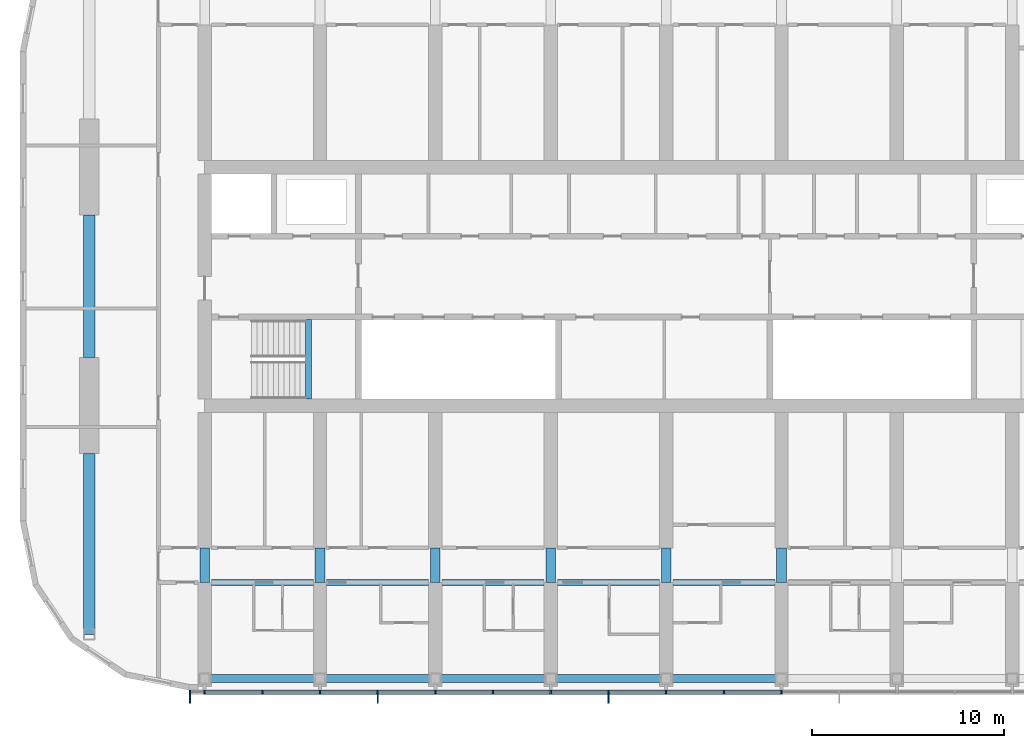
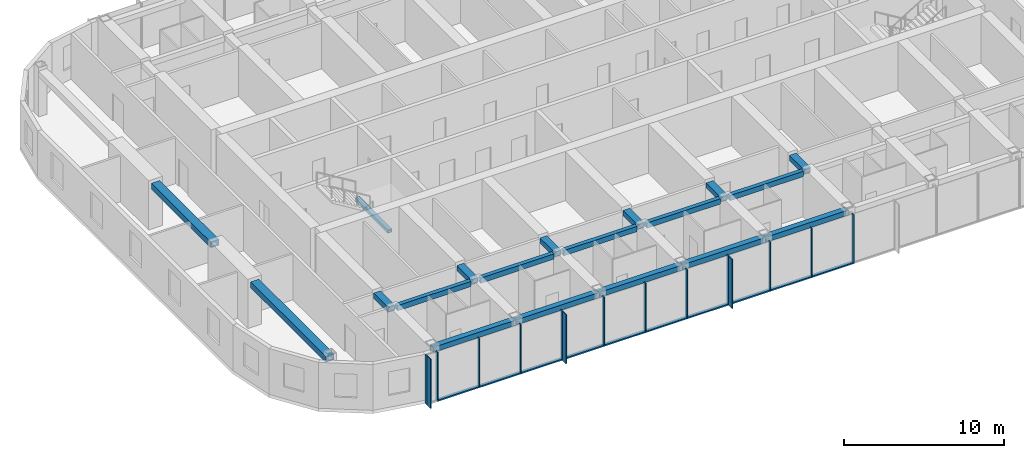
# One storey, part 2 of 23: 25 members, 19 beams, 1 element without a shape of its own.
"""IFC4 building model written with IfcOpenShell, lengths in metres."""

from ifc_helpers import new_model, si_unit, direction, frame, origin, origin_2d, place, context, subcontext, project, spatial, rectangle, hollow_rectangle, extrude, material, material_profile, profile_set, type_object, element, aggregate, save


model = new_model("IFC4")

# Units and contexts
model_context = context("Model", 3, precision=1e-05, world=origin(), true_north=direction((0.0, 1.0)))
body_context = subcontext(model_context, "Body", "Model", "MODEL_VIEW")
ifc_project = project(units=[si_unit("LENGTHUNIT", "METRE"), si_unit("AREAUNIT", "SQUARE_METRE"), si_unit("VOLUMEUNIT", "CUBIC_METRE"), si_unit("PLANEANGLEUNIT", "RADIAN"), si_unit("MASSUNIT", "GRAM", prefix="KILO")], contexts=[model_context])

# Site, building, storey
site_placement = place(None, origin())
site = spatial("IfcSite", under=ifc_project, at=site_placement, CompositionType="ELEMENT")
building_placement = place(site_placement, origin())
building = spatial("IfcBuilding", under=site, at=building_placement, Name="Orbita Commons", CompositionType="ELEMENT")
storey_placement = place(building_placement, frame((0.0, 0.0, 224.050048828125)))
storey = spatial("IfcBuildingStorey", under=building, at=storey_placement, Name="L55", CompositionType="ELEMENT", Elevation=224.050048828125)

# Curtain wall, members
ifc_material_1 = material(Name="Anodised aluminium frame, pale silver", Category="aluminium")
curtain_wall_type = type_object("IfcCurtainWallType", Name="Unitised curtain wall CW-U, full-height vision", PredefinedType="NOTDEFINED", material=ifc_material_1)
curtain_wall_placement = place(storey_placement, origin())
curtain_wall = element("IfcCurtainWall", 1, at=curtain_wall_placement, inside=storey, type_object=curtain_wall_type, Name="Curtain wall south L55", PredefinedType="NOTDEFINED")
ifc_material_2 = material(Name="Anodised aluminium, pale silver", Category="aluminium")
ifc_material_profile_1 = material_profile(ifc_material_2, rectangle(XDim=0.080078125, YDim=0.219970703125, at=origin_2d()), Name="AL 80x220")
ifc_profile_set_1 = profile_set([ifc_material_profile_1], Name="Anodised aluminium, pale silver")
member_type_1 = type_object("IfcMemberType", Name="Curtain wall mullion 80x220", PredefinedType="MULLION", material=ifc_profile_set_1)
member_1_placement = place(storey_placement, frame((17.239990234375, 10.889892578125, -0.25), z_axis=(0.0, 0.0, 1.0), x_axis=(1.0, 0.0, 0.0)))
member_1 = element("IfcMember", 2, at=member_1_placement, type_object=member_type_1, Name="Mullion 1 CW-L55-S", PredefinedType="MULLION", context=body_context, shape_type="SweptSolid", body=[
    extrude(rectangle(XDim=0.080078125, YDim=0.219970703125, at=origin_2d()), origin(), (0.0, 0.0, 1.0), 3.75),
])
member_2_placement = place(storey_placement, frame((18.0, 10.889892578125, -0.25), z_axis=(0.0, 0.0, 1.0), x_axis=(1.0, 0.0, 0.0)))
member_2 = element("IfcMember", 3, at=member_2_placement, type_object=member_type_1, Name="Mullion 2 CW-L55-S", PredefinedType="MULLION", context=body_context, shape_type="SweptSolid", body=[
    extrude(rectangle(XDim=0.080078125, YDim=0.219970703125, at=origin_2d()), origin(), (0.0, 0.0, 1.0), 3.75),
])
member_3_placement = place(storey_placement, frame((21.0, 10.889892578125, -0.25), z_axis=(0.0, 0.0, 1.0), x_axis=(1.0, 0.0, 0.0)))
member_3 = element("IfcMember", 4, at=member_3_placement, type_object=member_type_1, Name="Mullion 3 CW-L55-S", PredefinedType="MULLION", context=body_context, shape_type="SweptSolid", body=[
    extrude(rectangle(XDim=0.080078125, YDim=0.219970703125, at=origin_2d()), origin(), (0.0, 0.0, 1.0), 3.75),
])
member_4_placement = place(storey_placement, frame((24.0, 10.889892578125, -0.25), z_axis=(0.0, 0.0, 1.0), x_axis=(1.0, 0.0, 0.0)))
member_4 = element("IfcMember", 5, at=member_4_placement, type_object=member_type_1, Name="Mullion 4 CW-L55-S", PredefinedType="MULLION", context=body_context, shape_type="SweptSolid", body=[
    extrude(rectangle(XDim=0.080078125, YDim=0.219970703125, at=origin_2d()), origin(), (0.0, 0.0, 1.0), 3.75),
])
member_5_placement = place(storey_placement, frame((27.0, 10.889892578125, -0.25), z_axis=(0.0, 0.0, 1.0), x_axis=(1.0, 0.0, 0.0)))
member_5 = element("IfcMember", 6, at=member_5_placement, type_object=member_type_1, Name="Mullion 5 CW-L55-S", PredefinedType="MULLION", context=body_context, shape_type="SweptSolid", body=[
    extrude(rectangle(XDim=0.080078125, YDim=0.219970703125, at=origin_2d()), origin(), (0.0, 0.0, 1.0), 3.75),
])
member_6_placement = place(storey_placement, frame((30.0, 10.889892578125, -0.25), z_axis=(0.0, 0.0, 1.0), x_axis=(1.0, 0.0, 0.0)))
member_6 = element("IfcMember", 7, at=member_6_placement, type_object=member_type_1, Name="Mullion 6 CW-L55-S", PredefinedType="MULLION", context=body_context, shape_type="SweptSolid", body=[
    extrude(rectangle(XDim=0.080078125, YDim=0.219970703125, at=origin_2d()), origin(), (0.0, 0.0, 1.0), 3.75),
])
member_7_placement = place(storey_placement, frame((33.0, 10.889892578125, -0.25), z_axis=(0.0, 0.0, 1.0), x_axis=(1.0, 0.0, 0.0)))
member_7 = element("IfcMember", 8, at=member_7_placement, type_object=member_type_1, Name="Mullion 7 CW-L55-S", PredefinedType="MULLION", context=body_context, shape_type="SweptSolid", body=[
    extrude(rectangle(XDim=0.080078125, YDim=0.219970703125, at=origin_2d()), origin(), (0.0, 0.0, 1.0), 3.75),
])
member_8_placement = place(storey_placement, frame((36.0, 10.889892578125, -0.25), z_axis=(0.0, 0.0, 1.0), x_axis=(1.0, 0.0, 0.0)))
member_8 = element("IfcMember", 9, at=member_8_placement, type_object=member_type_1, Name="Mullion 8 CW-L55-S", PredefinedType="MULLION", context=body_context, shape_type="SweptSolid", body=[
    extrude(rectangle(XDim=0.080078125, YDim=0.219970703125, at=origin_2d()), origin(), (0.0, 0.0, 1.0), 3.75),
])
member_9_placement = place(storey_placement, frame((39.0, 10.889892578125, -0.25), z_axis=(0.0, 0.0, 1.0), x_axis=(1.0, 0.0, 0.0)))
member_9 = element("IfcMember", 10, at=member_9_placement, type_object=member_type_1, Name="Mullion 9 CW-L55-S", PredefinedType="MULLION", context=body_context, shape_type="SweptSolid", body=[
    extrude(rectangle(XDim=0.080078125, YDim=0.219970703125, at=origin_2d()), origin(), (0.0, 0.0, 1.0), 3.75),
])
member_10_placement = place(storey_placement, frame((42.0, 10.889892578125, -0.25), z_axis=(0.0, 0.0, 1.0), x_axis=(1.0, 0.0, 0.0)))
member_10 = element("IfcMember", 11, at=member_10_placement, type_object=member_type_1, Name="Mullion 10 CW-L55-S", PredefinedType="MULLION", context=body_context, shape_type="SweptSolid", body=[
    extrude(rectangle(XDim=0.080078125, YDim=0.219970703125, at=origin_2d()), origin(), (0.0, 0.0, 1.0), 3.75),
])
member_11_placement = place(storey_placement, frame((45.0, 10.889892578125, -0.25), z_axis=(0.0, 0.0, 1.0), x_axis=(1.0, 0.0, 0.0)))
member_11 = element("IfcMember", 12, at=member_11_placement, type_object=member_type_1, Name="Mullion 11 CW-L55-S", PredefinedType="MULLION", context=body_context, shape_type="SweptSolid", body=[
    extrude(rectangle(XDim=0.080078125, YDim=0.219970703125, at=origin_2d()), origin(), (0.0, 0.0, 1.0), 3.75),
])
member_12_placement = place(storey_placement, frame((48.0, 10.889892578125, -0.25), z_axis=(0.0, 0.0, 1.0), x_axis=(1.0, 0.0, 0.0)))
member_12 = element("IfcMember", 13, at=member_12_placement, type_object=member_type_1, Name="Mullion 12 CW-L55-S", PredefinedType="MULLION", context=body_context, shape_type="SweptSolid", body=[
    extrude(rectangle(XDim=0.080078125, YDim=0.219970703125, at=origin_2d()), origin(), (0.0, 0.0, 1.0), 3.75),
])
ifc_material_3 = material(Name="Anodised aluminium, pale silver", Category="aluminium")
ifc_material_profile_2 = material_profile(ifc_material_3, rectangle(XDim=0.219970703125, YDim=0.10009765625, at=origin_2d()), Name="AL 220x100")
ifc_profile_set_2 = profile_set([ifc_material_profile_2], Name="Anodised aluminium, pale silver")
member_type_2 = type_object("IfcMemberType", Name="Curtain wall stack transom 220x100", PredefinedType="USERDEFINED", material=ifc_profile_set_2)
member_13_placement = place(storey_placement, frame((18.0400390625, 10.889892578125, -0.199951171875), z_axis=(1.0, 0.0, 0.0), x_axis=(0.0, 1.0, 0.0)))
member_13 = element("IfcMember", 14, at=member_13_placement, type_object=member_type_2, Name="Transom 2.1 CW-L55-S", ObjectType="TRANSOM", PredefinedType="USERDEFINED", context=body_context, shape_type="SweptSolid", body=[
    extrude(rectangle(XDim=0.219970703125, YDim=0.10009765625, at=origin_2d()), origin(), (0.0, 0.0, 1.0), 2.919921875),
])
member_14_placement = place(storey_placement, frame((21.0400390625, 10.889892578125, -0.199951171875), z_axis=(1.0, 0.0, 0.0), x_axis=(0.0, 1.0, 0.0)))
member_14 = element("IfcMember", 15, at=member_14_placement, type_object=member_type_2, Name="Transom 3.1 CW-L55-S", ObjectType="TRANSOM", PredefinedType="USERDEFINED", context=body_context, shape_type="SweptSolid", body=[
    extrude(rectangle(XDim=0.219970703125, YDim=0.10009765625, at=origin_2d()), origin(), (0.0, 0.0, 1.0), 2.919921875),
])
member_15_placement = place(storey_placement, frame((24.0400390625, 10.889892578125, -0.199951171875), z_axis=(1.0, 0.0, 0.0), x_axis=(0.0, 1.0, 0.0)))
member_15 = element("IfcMember", 16, at=member_15_placement, type_object=member_type_2, Name="Transom 4.1 CW-L55-S", ObjectType="TRANSOM", PredefinedType="USERDEFINED", context=body_context, shape_type="SweptSolid", body=[
    extrude(rectangle(XDim=0.219970703125, YDim=0.10009765625, at=origin_2d()), origin(), (0.0, 0.0, 1.0), 2.919921875),
])
member_16_placement = place(storey_placement, frame((27.0400390625, 10.889892578125, -0.199951171875), z_axis=(1.0, 0.0, 0.0), x_axis=(0.0, 1.0, 0.0)))
member_16 = element("IfcMember", 17, at=member_16_placement, type_object=member_type_2, Name="Transom 5.1 CW-L55-S", ObjectType="TRANSOM", PredefinedType="USERDEFINED", context=body_context, shape_type="SweptSolid", body=[
    extrude(rectangle(XDim=0.219970703125, YDim=0.10009765625, at=origin_2d()), origin(), (0.0, 0.0, 1.0), 2.919921875),
])
member_17_placement = place(storey_placement, frame((30.0400390625, 10.889892578125, -0.199951171875), z_axis=(1.0, 0.0, 0.0), x_axis=(0.0, 1.0, 0.0)))
member_17 = element("IfcMember", 18, at=member_17_placement, type_object=member_type_2, Name="Transom 6.1 CW-L55-S", ObjectType="TRANSOM", PredefinedType="USERDEFINED", context=body_context, shape_type="SweptSolid", body=[
    extrude(rectangle(XDim=0.219970703125, YDim=0.10009765625, at=origin_2d()), origin(), (0.0, 0.0, 1.0), 2.919921875),
])
member_18_placement = place(storey_placement, frame((33.0400390625, 10.889892578125, -0.199951171875), z_axis=(1.0, 0.0, 0.0), x_axis=(0.0, 1.0, 0.0)))
member_18 = element("IfcMember", 19, at=member_18_placement, type_object=member_type_2, Name="Transom 7.1 CW-L55-S", ObjectType="TRANSOM", PredefinedType="USERDEFINED", context=body_context, shape_type="SweptSolid", body=[
    extrude(rectangle(XDim=0.219970703125, YDim=0.10009765625, at=origin_2d()), origin(), (0.0, 0.0, 1.0), 2.919921875),
])
member_19_placement = place(storey_placement, frame((36.0400390625, 10.889892578125, -0.199951171875), z_axis=(1.0, 0.0, 0.0), x_axis=(0.0, 1.0, 0.0)))
member_19 = element("IfcMember", 20, at=member_19_placement, type_object=member_type_2, Name="Transom 8.1 CW-L55-S", ObjectType="TRANSOM", PredefinedType="USERDEFINED", context=body_context, shape_type="SweptSolid", body=[
    extrude(rectangle(XDim=0.219970703125, YDim=0.10009765625, at=origin_2d()), origin(), (0.0, 0.0, 1.0), 2.919921875),
])
member_20_placement = place(storey_placement, frame((39.0400390625, 10.889892578125, -0.199951171875), z_axis=(1.0, 0.0, 0.0), x_axis=(0.0, 1.0, 0.0)))
member_20 = element("IfcMember", 21, at=member_20_placement, type_object=member_type_2, Name="Transom 9.1 CW-L55-S", ObjectType="TRANSOM", PredefinedType="USERDEFINED", context=body_context, shape_type="SweptSolid", body=[
    extrude(rectangle(XDim=0.219970703125, YDim=0.10009765625, at=origin_2d()), origin(), (0.0, 0.0, 1.0), 2.919921875),
])
member_21_placement = place(storey_placement, frame((42.0400390625, 10.889892578125, -0.199951171875), z_axis=(1.0, 0.0, 0.0), x_axis=(0.0, 1.0, 0.0)))
member_21 = element("IfcMember", 22, at=member_21_placement, type_object=member_type_2, Name="Transom 10.1 CW-L55-S", ObjectType="TRANSOM", PredefinedType="USERDEFINED", context=body_context, shape_type="SweptSolid", body=[
    extrude(rectangle(XDim=0.219970703125, YDim=0.10009765625, at=origin_2d()), origin(), (0.0, 0.0, 1.0), 2.919921875),
])
member_22_placement = place(storey_placement, frame((45.0400390625, 10.889892578125, -0.199951171875), z_axis=(1.0, 0.0, 0.0), x_axis=(0.0, 1.0, 0.0)))
member_22 = element("IfcMember", 23, at=member_22_placement, type_object=member_type_2, Name="Transom 11.1 CW-L55-S", ObjectType="TRANSOM", PredefinedType="USERDEFINED", context=body_context, shape_type="SweptSolid", body=[
    extrude(rectangle(XDim=0.219970703125, YDim=0.10009765625, at=origin_2d()), origin(), (0.0, 0.0, 1.0), 2.919921875),
])

# Beams
ifc_material_4 = material(Name="Steel ASTM A572 Gr 50 welded plate", Category="steel")
ifc_material_profile_3 = material_profile(ifc_material_4, hollow_rectangle(XDim=0.300048828125, YDim=0.25, WallThickness=0.02490234375, at=origin_2d()), Name="BOX 250x300x25")
ifc_profile_set_3 = profile_set([ifc_material_profile_3], Name="Steel ASTM A572 Gr 50 welded plate")
beam_type_1 = type_object("IfcBeamType", Name="Stair landing beam steel BOX 250x300x25", PredefinedType="BEAM", material=ifc_profile_set_3)
beam_1_placement = place(storey_placement, frame((23.39990234375, 26.135009765625, 1.550048828125), z_axis=(0.0, 1.0, 0.0), x_axis=(-1.0, 0.0, 0.0)))
element("IfcBeam", 24, at=beam_1_placement, inside=storey, type_object=beam_type_1, Name="Stair S1 landing beam L55 1", PredefinedType="BEAM", context=body_context, shape_type="SweptSolid", body=[
    extrude(hollow_rectangle(XDim=0.300048828125, YDim=0.25, WallThickness=0.02490234375, at=origin_2d()), origin(), (0.0, 0.0, 1.0), 4.1298828125),
])
ifc_material_5 = material(Name="Steel ASTM A572 Gr 50 welded plate", Category="steel")
ifc_material_profile_4 = material_profile(ifc_material_5, hollow_rectangle(XDim=0.300048828125, YDim=0.39990234375, WallThickness=0.0400390625, at=origin_2d()), Name="BOX 400x300x40")
ifc_profile_set_4 = profile_set([ifc_material_profile_4], Name="Steel ASTM A572 Gr 50 welded plate")
beam_type_2 = type_object("IfcBeamType", Name="Steel corridor link BOX 400x300x40", PredefinedType="BEAM", material=ifc_profile_set_4)
for number, where, z_axis, x_axis, name in (
    (25, (18.35009765625, 16.60009765625, 3.300048828125), (1.0, 0.0, 0.0), (0.0, 1.0, 0.0), "Corridor beam SA 4-5 L55"),
    (26, (24.35009765625, 16.60009765625, 3.300048828125), (1.0, 0.0, 0.0), (0.0, 1.0, 0.0), "Corridor beam SA 5-6 L55"),
    (27, (30.35009765625, 16.60009765625, 3.300048828125), (1.0, 0.0, 0.0), (0.0, 1.0, 0.0), "Corridor beam SA 6-7 L55"),
    (28, (36.35009765625, 16.60009765625, 3.300048828125), (1.0, 0.0, 0.0), (0.0, 1.0, 0.0), "Corridor beam SA 7-8 L55"),
    (29, (42.35009765625, 16.60009765625, 3.300048828125), (1.0, 0.0, 0.0), (0.0, 1.0, 0.0), "Corridor beam SA 8-9 L55"),
):
    element("IfcBeam", number, at=place(storey_placement, frame(where, z_axis=z_axis, x_axis=x_axis)), inside=storey, type_object=beam_type_2, Name=name, PredefinedType="BEAM", context=body_context, shape_type="SweptSolid", body=[
        extrude(hollow_rectangle(XDim=0.300048828125, YDim=0.39990234375, WallThickness=0.0400390625, at=origin_2d()), origin(), (0.0, 0.0, 1.0), 5.2998046875),
    ])
ifc_material_6 = material(Name="Steel ASTM A572 Gr 50 welded plate", Category="steel")
ifc_material_profile_5 = material_profile(ifc_material_6, hollow_rectangle(XDim=0.5, YDim=0.39990234375, WallThickness=0.050048828125, at=origin_2d()), Name="BOX 400x500x50")
ifc_profile_set_5 = profile_set([ifc_material_profile_5], Name="Steel ASTM A572 Gr 50 welded plate")
beam_type_3 = type_object("IfcBeamType", Name="Steel coupling link BOX 400x500x50", PredefinedType="LINTEL", material=ifc_profile_set_5)
for number, where, z_axis, x_axis, name in (
    (30, (18.0, 16.60009765625, 3.300048828125), (0.0, 1.0, 0.0), (-1.0, 0.0, 0.0), "Coupling beam 4 south L55"),
    (31, (24.0, 16.60009765625, 3.300048828125), (0.0, 1.0, 0.0), (-1.0, 0.0, 0.0), "Coupling beam 5 south L55"),
    (32, (30.0, 16.60009765625, 3.300048828125), (0.0, 1.0, 0.0), (-1.0, 0.0, 0.0), "Coupling beam 6 south L55"),
    (33, (36.0, 16.60009765625, 3.300048828125), (0.0, 1.0, 0.0), (-1.0, 0.0, 0.0), "Coupling beam 7 south L55"),
    (34, (42.0, 16.60009765625, 3.300048828125), (0.0, 1.0, 0.0), (-1.0, 0.0, 0.0), "Coupling beam 8 south L55"),
    (35, (48.0, 16.60009765625, 3.300048828125), (0.0, 1.0, 0.0), (-1.0, 0.0, 0.0), "Coupling beam 9 south L55"),
):
    element("IfcBeam", number, at=place(storey_placement, frame(where, z_axis=z_axis, x_axis=x_axis)), inside=storey, type_object=beam_type_3, Name=name, PredefinedType="LINTEL", context=body_context, shape_type="SweptSolid", body=[
        extrude(hollow_rectangle(XDim=0.5, YDim=0.39990234375, WallThickness=0.050048828125, at=origin_2d()), origin(), (0.0, 0.0, 1.0), 1.7998046875),
    ])
ifc_material_7 = material(Name="Steel ASTM A572 Gr 50 welded plate", Category="steel")
ifc_material_profile_6 = material_profile(ifc_material_7, hollow_rectangle(XDim=0.60009765625, YDim=0.449951171875, WallThickness=0.06005859375, at=origin_2d()), Name="BOX 450x600x60")
ifc_profile_set_6 = profile_set([ifc_material_profile_6], Name="Steel ASTM A572 Gr 50 welded plate")
beam_type_4 = type_object("IfcBeamType", Name="Steel end frame link BOX 450x600x60", PredefinedType="BEAM", material=ifc_profile_set_6)
beam_2_placement = place(storey_placement, frame((12.0, 13.89990234375, 3.27490234375), z_axis=(0.0, 1.0, 0.0), x_axis=(-1.0, 0.0, 0.0)))
element("IfcBeam", 36, at=beam_2_placement, inside=storey, type_object=beam_type_4, Name="End frame beam 3 B-C L55", PredefinedType="BEAM", context=body_context, shape_type="SweptSolid", body=[
    extrude(hollow_rectangle(XDim=0.60009765625, YDim=0.449951171875, WallThickness=0.06005859375, at=origin_2d()), origin(), (0.0, 0.0, 1.0), 9.400146484375),
])
beam_3_placement = place(storey_placement, frame((12.0, 28.300048828125, 3.27490234375), z_axis=(0.0, 1.0, 0.0), x_axis=(-1.0, 0.0, 0.0)))
element("IfcBeam", 37, at=beam_3_placement, inside=storey, type_object=beam_type_4, Name="End frame beam 3 C-D L55", PredefinedType="BEAM", context=body_context, shape_type="SweptSolid", body=[
    extrude(hollow_rectangle(XDim=0.60009765625, YDim=0.449951171875, WallThickness=0.06005859375, at=origin_2d()), origin(), (0.0, 0.0, 1.0), 7.39990234375),
])
ifc_material_8 = material(Name="Steel ASTM A572 Gr 50 welded plate", Category="steel")
ifc_material_profile_7 = material_profile(ifc_material_8, hollow_rectangle(XDim=0.39990234375, YDim=0.39990234375, WallThickness=0.0400390625, at=origin_2d()), Name="BOX 400x400x40")
ifc_profile_set_7 = profile_set([ifc_material_profile_7], Name="Steel ASTM A572 Gr 50 welded plate")
beam_type_5 = type_object("IfcBeamType", Name="Steel spandrel BOX 400x400x40", PredefinedType="SPANDREL", material=ifc_profile_set_7)
for number, where, z_axis, x_axis, name in (
    (38, (18.0, 11.60009765625, 3.300048828125), (1.0, 0.0, 0.0), (0.0, 1.0, 0.0), "Spandrel beam B 4-5 L55"),
    (39, (24.0, 11.60009765625, 3.300048828125), (1.0, 0.0, 0.0), (0.0, 1.0, 0.0), "Spandrel beam B 5-6 L55"),
    (40, (30.0, 11.60009765625, 3.300048828125), (1.0, 0.0, 0.0), (0.0, 1.0, 0.0), "Spandrel beam B 6-7 L55"),
    (41, (36.0, 11.60009765625, 3.300048828125), (1.0, 0.0, 0.0), (0.0, 1.0, 0.0), "Spandrel beam B 7-8 L55"),
    (42, (42.0, 11.60009765625, 3.300048828125), (1.0, 0.0, 0.0), (0.0, 1.0, 0.0), "Spandrel beam B 8-9 L55"),
):
    element("IfcBeam", number, at=place(storey_placement, frame(where, z_axis=z_axis, x_axis=x_axis)), inside=storey, type_object=beam_type_5, Name=name, PredefinedType="SPANDREL", context=body_context, shape_type="SweptSolid", body=[
        extrude(hollow_rectangle(XDim=0.39990234375, YDim=0.39990234375, WallThickness=0.0400390625, at=origin_2d()), origin(), (0.0, 0.0, 1.0), 6.0),
    ])

# Member
ifc_material_9 = material(Name="Anodised aluminium, pale silver", Category="aluminium")
ifc_material_profile_8 = material_profile(ifc_material_9, rectangle(XDim=0.06005859375, YDim=0.449951171875, at=origin_2d()), Name="FIN 60x450")
ifc_profile_set_8 = profile_set([ifc_material_profile_8], Name="Anodised aluminium, pale silver")
member_type_3 = type_object("IfcMemberType", Name="Vertical fin 60x450 pale aluminium", PredefinedType="USERDEFINED", material=ifc_profile_set_8)
member_23_placement = place(storey_placement, frame((17.239990234375, 10.554931640625, -0.25), z_axis=(0.0, 0.0, 1.0), x_axis=(1.0, 0.0, 0.0)))
member_23 = element("IfcMember", 43, at=member_23_placement, type_object=member_type_3, Name="Fin 1 CW-L55-S", ObjectType="FIN", PredefinedType="USERDEFINED", context=body_context, shape_type="SweptSolid", body=[
    extrude(rectangle(XDim=0.06005859375, YDim=0.449951171875, at=origin_2d()), origin(), (0.0, 0.0, 1.0), 3.75),
])

member_24_placement = place(storey_placement, frame((27.0, 10.554931640625, -0.25), z_axis=(0.0, 0.0, 1.0), x_axis=(1.0, 0.0, 0.0)))
member_24 = element("IfcMember", 44, at=member_24_placement, type_object=member_type_3, Name="Fin 5 CW-L55-S", ObjectType="FIN", PredefinedType="USERDEFINED", context=body_context, shape_type="SweptSolid", body=[
    extrude(rectangle(XDim=0.06005859375, YDim=0.449951171875, at=origin_2d()), origin(), (0.0, 0.0, 1.0), 3.75),
])

member_25_placement = place(storey_placement, frame((39.0, 10.554931640625, -0.25), z_axis=(0.0, 0.0, 1.0), x_axis=(1.0, 0.0, 0.0)))
member_25 = element("IfcMember", 45, at=member_25_placement, type_object=member_type_3, Name="Fin 9 CW-L55-S", ObjectType="FIN", PredefinedType="USERDEFINED", context=body_context, shape_type="SweptSolid", body=[
    extrude(rectangle(XDim=0.06005859375, YDim=0.449951171875, at=origin_2d()), origin(), (0.0, 0.0, 1.0), 3.75),
])

aggregate(curtain_wall, [member_1, member_23, member_2, member_3, member_4, member_5, member_24, member_6, member_7, member_8, member_9, member_25, member_10, member_11, member_12, member_13, member_14, member_15, member_16, member_17, member_18, member_19, member_20, member_21, member_22])

save(model, "model.ifc")
